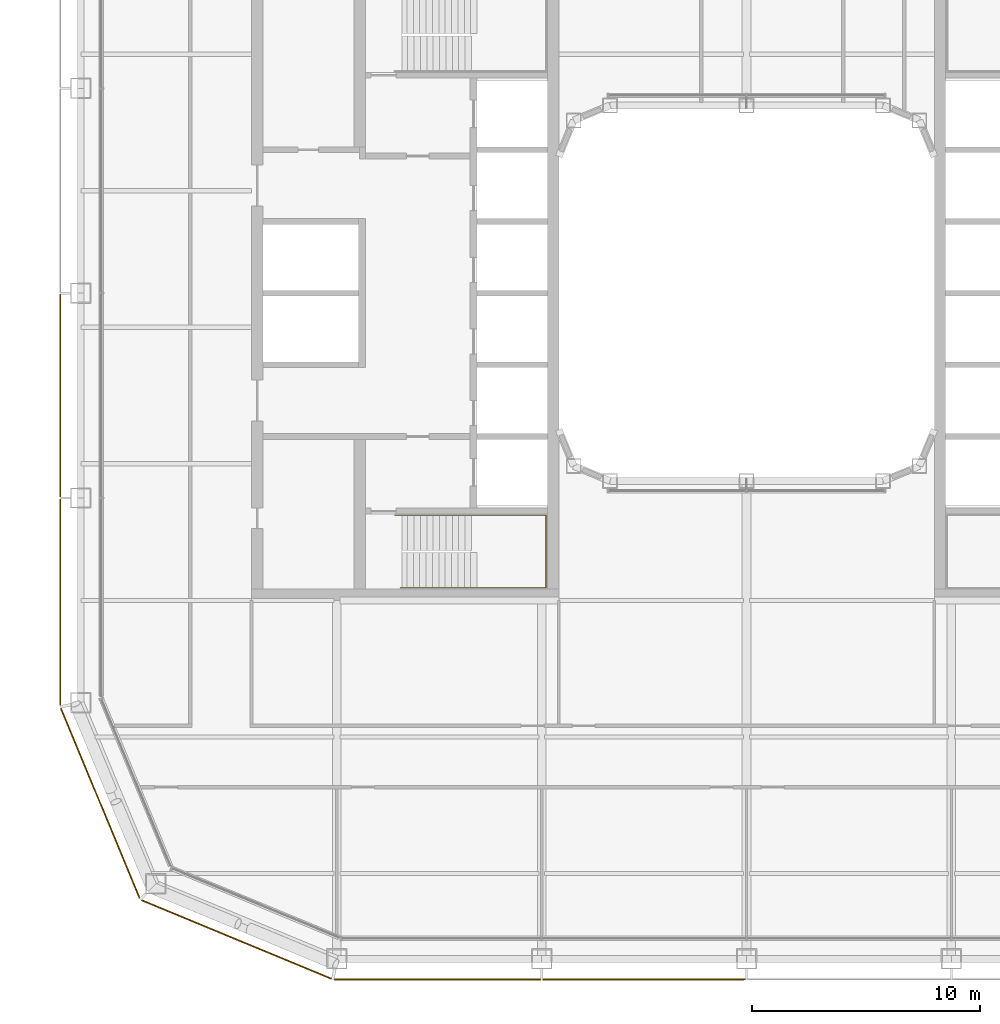
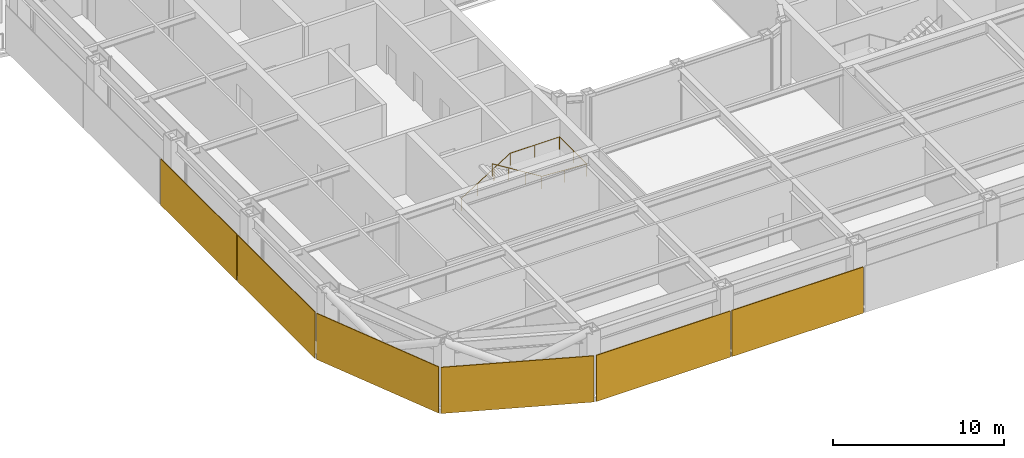
# One storey, part 18 of 23: 6 coverings, 1 railing.
"""IFC4 building model written with IfcOpenShell, lengths in metres."""

from ifc_helpers import new_model, si_unit, direction, frame, origin, origin_2d, place, context, subcontext, project, spatial, rectangle, circle, extrude, material, layer, layer_set, type_object, element, save


model = new_model("IFC4")

# Units and contexts
model_context = context("Model", 3, precision=1e-05, world=origin(), true_north=direction((0.0, 1.0)))
body_context = subcontext(model_context, "Body", "Model", "MODEL_VIEW")
ifc_project = project(units=[si_unit("LENGTHUNIT", "METRE"), si_unit("AREAUNIT", "SQUARE_METRE"), si_unit("VOLUMEUNIT", "CUBIC_METRE"), si_unit("PLANEANGLEUNIT", "RADIAN"), si_unit("MASSUNIT", "GRAM", prefix="KILO")], contexts=[model_context])

# Site, building, storey
site_placement = place(None, origin())
site = spatial("IfcSite", under=ifc_project, at=site_placement, CompositionType="ELEMENT")
building_placement = place(site_placement, origin())
building = spatial("IfcBuilding", under=site, at=building_placement, Name="Siwar Civic Tower", CompositionType="ELEMENT")
storey_placement = place(building_placement, frame((0.0, 0.0, 172.199951171875)))
storey = spatial("IfcBuildingStorey", under=building, at=storey_placement, Name="L37", CompositionType="ELEMENT", Elevation=172.199951171875)

# Railing
ifc_material_1 = material(Name="Stainless steel", Category="steel")
railing_type = type_object("IfcRailingType", Name="CORE-STAIR-HANDRAIL", PredefinedType="HANDRAIL", material=ifc_material_1)
railing_placement = place(storey_placement, frame((-15.449951171875, -9.758056640625, 0.173095703125)))
element("IfcRailing", 1, at=railing_placement, inside=storey, type_object=railing_type, Name="Stair handrail ST2", PredefinedType="HANDRAIL", context=body_context, shape_type="SweptSolid", body=[
    extrude(circle(Radius=0.02001953125, at=origin_2d()), frame((0.0, 0.0, 0.8798828125), z_axis=(0.847063342986, 0.0, 0.531491950051), x_axis=(0.0, 1.0, 0.0)), (0.0, 0.0, 1.0), 3.90771484375),
    extrude(circle(Radius=0.02001953125, at=origin_2d()), frame((3.31005859375, 0.0, 2.956787109375), z_axis=(1.0, 0.0, 0.0), x_axis=(0.0, 1.0, 0.0)), (0.0, 0.0, 1.0), 3.331787109375),
    extrude(circle(Radius=0.02001953125, at=origin_2d()), frame((6.641845703125, 0.0, 2.956787109375), z_axis=(0.0, -1.0, 0.0), x_axis=(1.0, 0.0, 0.0)), (0.0, 0.0, 1.0), 3.183837890625),
    extrude(circle(Radius=0.02001953125, at=origin_2d()), frame((6.641845703125, -3.183837890625, 2.956787109375), z_axis=(-0.99837434197, 0.0, 0.056997134106), x_axis=(0.0, -1.0, 0.0)), (0.0, 0.0, 1.0), 3.036865234375),
    extrude(circle(Radius=0.02001953125, at=origin_2d()), frame((3.60986328125, -3.183837890625, 3.1298828125), z_axis=(-0.850606129759, 0.0, 0.525803396734), x_axis=(0.0, -1.0, 0.0)), (0.0, 0.0, 1.0), 3.949951171875),
    extrude(circle(Radius=0.02001953125, at=origin_2d()), origin(), (0.0, 0.0, 1.0), 0.85986328125),
    extrude(circle(Radius=0.02001953125, at=origin_2d()), frame((1.103271484375, 0.0, 0.6923828125)), (0.0, 0.0, 1.0), 0.85986328125),
    extrude(circle(Radius=0.02001953125, at=origin_2d()), frame((2.206787109375, 0.0, 1.384521484375)), (0.0, 0.0, 1.0), 0.85986328125),
    extrude(circle(Radius=0.02001953125, at=origin_2d()), frame((3.31005859375, 0.0, 2.076904296875)), (0.0, 0.0, 1.0), 0.85986328125),
    extrude(circle(Radius=0.02001953125, at=origin_2d()), frame((4.97607421875, 0.0, 2.076904296875)), (0.0, 0.0, 1.0), 0.85986328125),
    extrude(circle(Radius=0.02001953125, at=origin_2d()), frame((6.641845703125, 0.0, 2.076904296875)), (0.0, 0.0, 1.0), 0.85986328125),
    extrude(circle(Radius=0.02001953125, at=origin_2d()), frame((6.641845703125, -1.591796875, 2.076904296875)), (0.0, 0.0, 1.0), 0.85986328125),
    extrude(circle(Radius=0.02001953125, at=origin_2d()), frame((6.641845703125, -3.183837890625, 2.076904296875)), (0.0, 0.0, 1.0), 0.85986328125),
    extrude(circle(Radius=0.02001953125, at=origin_2d()), frame((5.1259765625, -3.183837890625, 2.16357421875)), (0.0, 0.0, 1.0), 0.85986328125),
    extrude(circle(Radius=0.02001953125, at=origin_2d()), frame((3.60986328125, -3.183837890625, 2.25)), (0.0, 0.0, 1.0), 0.85986328125),
    extrude(circle(Radius=0.02001953125, at=origin_2d()), frame((2.489990234375, -3.183837890625, 2.9423828125)), (0.0, 0.0, 1.0), 0.85986328125),
    extrude(circle(Radius=0.02001953125, at=origin_2d()), frame((1.369873046875, -3.183837890625, 3.634521484375)), (0.0, 0.0, 1.0), 0.85986328125),
    extrude(circle(Radius=0.02001953125, at=origin_2d()), frame((0.25, -3.183837890625, 4.326904296875)), (0.0, 0.0, 1.0), 0.85986328125),
])

# Coverings
ifc_material_2 = material(Name="Perforated aluminium cassette, pale metal", Category="aluminium")
ifc_layer_1 = layer(ifc_material_2, 0.050048828125)
ifc_layer_set_1 = layer_set([ifc_layer_1], Name="Perforated aluminium cassette, pale metal")
covering_type_1 = type_object("IfcCoveringType", Name="ENV-OUTER SKIN OS-3", PredefinedType="CLADDING", material=ifc_layer_set_1)
covering_1_placement = place(storey_placement, frame((-30.14990234375, -4.5, -0.14990234375), z_axis=(0.0, 0.0, 1.0), x_axis=(0.0, -1.0, 0.0)))
element("IfcCovering", 2, at=covering_1_placement, inside=storey, type_object=covering_type_1, Name="OUTER SKIN OS-3 W 3", PredefinedType="CLADDING", context=body_context, shape_type="SweptSolid", body=[
    extrude(rectangle(XDim=8.89990234375, YDim=0.050048828125, at=origin_2d()), origin(), (0.0, 0.0, 1.0), 3.300048828125),
])
covering_2_placement = place(storey_placement, frame((-30.14990234375, -13.57958984375, -0.14990234375), z_axis=(0.0, 0.0, 1.0), x_axis=(0.0, -1.0, 0.0)))
element("IfcCovering", 3, at=covering_2_placement, inside=storey, type_object=covering_type_1, Name="OUTER SKIN OS-3 W 4", PredefinedType="CLADDING", context=body_context, shape_type="SweptSolid", body=[
    extrude(rectangle(XDim=9.05908203125, YDim=0.050048828125, at=origin_2d()), origin(), (0.0, 0.0, 1.0), 3.300048828125),
])
ifc_material_3 = material(Name="Perforated aluminium cassette, pale metal", Category="aluminium")
ifc_layer_2 = layer(ifc_material_3, 0.054931640625)
ifc_layer_set_2 = layer_set([ifc_layer_2], Name="Perforated aluminium cassette, pale metal")
covering_type_2 = type_object("IfcCoveringType", Name="ENV-OUTER SKIN OS-4", PredefinedType="CLADDING", material=ifc_layer_set_2)
covering_3_placement = place(storey_placement, frame((-13.57958984375, -30.14990234375, -0.14990234375), z_axis=(0.0, 0.0, 1.0), x_axis=(1.0, 0.0, 0.0)))
element("IfcCovering", 4, at=covering_3_placement, inside=storey, type_object=covering_type_2, Name="OUTER SKIN OS-4 S 1", PredefinedType="CLADDING", context=body_context, shape_type="SweptSolid", body=[
    extrude(rectangle(XDim=9.05908203125, YDim=0.054931640625, at=origin_2d()), origin(), (0.0, 0.0, 1.0), 3.300048828125),
])
covering_4_placement = place(storey_placement, frame((-4.5, -30.14990234375, -0.14990234375), z_axis=(0.0, 0.0, 1.0), x_axis=(1.0, 0.0, 0.0)))
element("IfcCovering", 5, at=covering_4_placement, inside=storey, type_object=covering_type_2, Name="OUTER SKIN OS-4 S 2", PredefinedType="CLADDING", context=body_context, shape_type="SweptSolid", body=[
    extrude(rectangle(XDim=8.89990234375, YDim=0.054931640625, at=origin_2d()), origin(), (0.0, 0.0, 1.0), 3.300048828125),
])
for number, where, z_axis, x_axis, name in (
    (6, (-28.39697265625, -22.411376953125, -0.14990234375), (0.0, 0.0, 1.0), (0.382683432365, -0.923879532511, 0.0), "OUTER SKIN OS-4 SW1 1"),
    (7, (-22.411376953125, -28.39697265625, -0.14990234375), (0.0, 0.0, 1.0), (0.923879532511, -0.382683432365, 0.0), "OUTER SKIN OS-4 SW2 1"),
):
    element("IfcCovering", number, at=place(storey_placement, frame(where, z_axis=z_axis, x_axis=x_axis)), inside=storey, type_object=covering_type_2, Name=name, PredefinedType="CLADDING", context=body_context, shape_type="SweptSolid", body=[
        extrude(rectangle(XDim=9.022216796875, YDim=0.054931640625, at=origin_2d()), origin(), (0.0, 0.0, 1.0), 3.300048828125),
    ])

save(model, "model.ifc")
